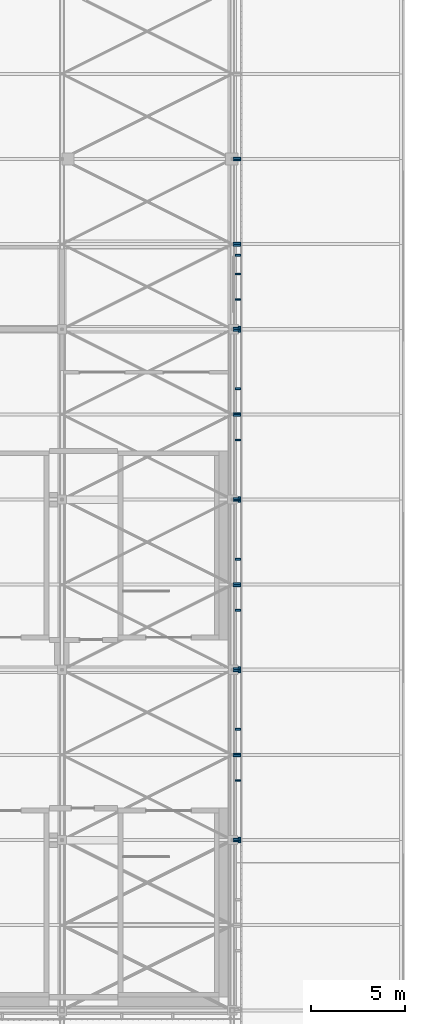
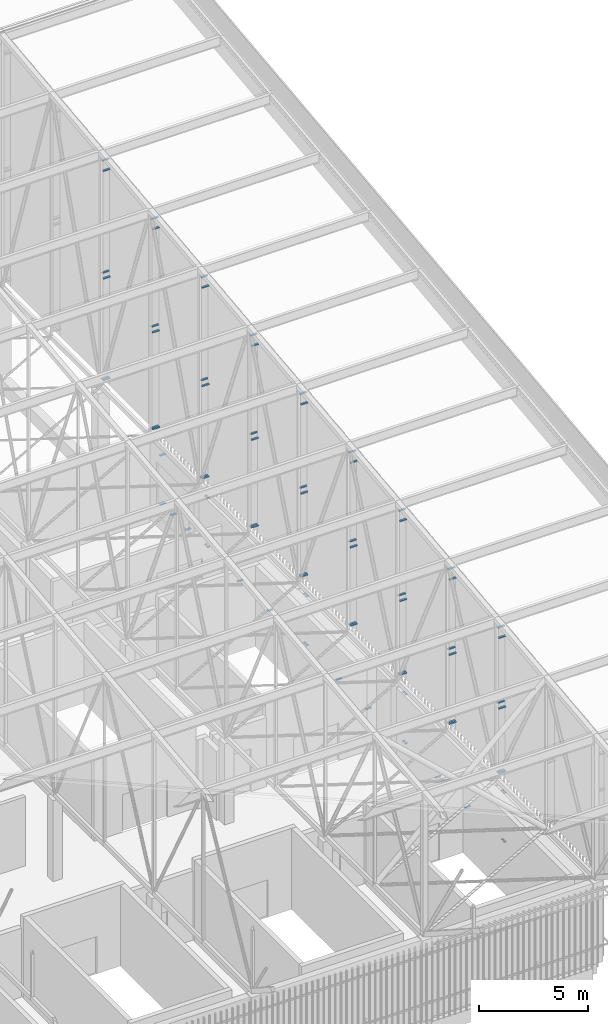
# One storey, part 451 of 500: 80 discrete accessories.
"""IFC4 building model written with IfcOpenShell, lengths in metres."""

from ifc_helpers import new_model, si_unit, direction, frame, origin, origin_2d, place, context, subcontext, project, spatial, rectangle, extrude, material, type_object, element, save


model = new_model("IFC4")

# Units and contexts
model_context = context("Model", 3, precision=1e-05, world=origin(), true_north=direction((0.0, 1.0)))
body_context = subcontext(model_context, "Body", "Model", "MODEL_VIEW")
ifc_project = project(units=[si_unit("LENGTHUNIT", "METRE"), si_unit("AREAUNIT", "SQUARE_METRE"), si_unit("VOLUMEUNIT", "CUBIC_METRE"), si_unit("PLANEANGLEUNIT", "RADIAN"), si_unit("MASSUNIT", "GRAM", prefix="KILO")], contexts=[model_context])

# Site, building, storey
site_placement = place(None, origin())
site = spatial("IfcSite", under=ifc_project, at=site_placement, CompositionType="ELEMENT")
building_placement = place(site_placement, origin())
building = spatial("IfcBuilding", under=site, at=building_placement, Name="Shirokan Park Arena", CompositionType="ELEMENT")
storey_placement = place(building_placement, frame((0.0, 0.0, 29.1201171875)))
storey = spatial("IfcBuildingStorey", under=building, at=storey_placement, Name="L06", CompositionType="ELEMENT", Elevation=29.1201171875)

# Discrete accessories
ifc_material = material(Name="Steel S355", Category="steel")
discrete_accessory_type = type_object("IfcDiscreteAccessoryType", Name="Veil bracket 100x60", PredefinedType="BRACKET", material=ifc_material)
for number, where, z_axis, x_axis, name in (
    (1, (145.985107421875, 9.0, 1.06982421875), (0.0, 0.0, 1.0), (0.0, 1.0, 0.0), "Veil bracket east bay 1 L06 2"),
    (2, (145.985107421875, 9.0, 3.81982421875), (0.0, 0.0, 1.0), (0.0, 1.0, 0.0), "Veil bracket east bay 1 L06 4"),
    (3, (145.985107421875, 9.199951171875, 1.06982421875), (0.0, 0.0, 1.0), (0.0, 1.0, 0.0), "Veil bracket east bay 2 L06 1"),
    (4, (145.985107421875, 18.10009765625, 1.06982421875), (0.0, 0.0, 1.0), (0.0, 1.0, 0.0), "Veil bracket east bay 2 L06 2"),
    (5, (145.985107421875, 9.199951171875, 3.81982421875), (0.0, 0.0, 1.0), (0.0, 1.0, 0.0), "Veil bracket east bay 2 L06 3"),
    (6, (145.985107421875, 18.10009765625, 3.81982421875), (0.0, 0.0, 1.0), (0.0, 1.0, 0.0), "Veil bracket east bay 2 L06 4"),
):
    element("IfcDiscreteAccessory", number, at=place(storey_placement, frame(where, z_axis=z_axis, x_axis=x_axis)), inside=storey, type_object=discrete_accessory_type, Name=name, PredefinedType="BRACKET", context=body_context, shape_type="SweptSolid", body=[
        extrude(rectangle(XDim=0.10009765625, YDim=0.1201171875, at=origin_2d()), origin(), (0.0, 0.0, 1.0), 0.06005859375),
    ])
for number, where, z_axis, x_axis, name in (
    (7, (145.8974609375, 12.284912109375, 1.06982421875), (0.0, 0.0, 1.0), (0.0, 1.0, 0.0), "Veil bracket east bay 2 L06 wall 1"),
    (8, (145.8974609375, 15.014892578125, 1.06982421875), (0.0, 0.0, 1.0), (0.0, 1.0, 0.0), "Veil bracket east bay 2 L06 wall 2"),
):
    element("IfcDiscreteAccessory", number, at=place(storey_placement, frame(where, z_axis=z_axis, x_axis=x_axis)), inside=storey, type_object=discrete_accessory_type, Name=name, PredefinedType="BRACKET", context=body_context, shape_type="SweptSolid", body=[
        extrude(rectangle(XDim=0.10009765625, YDim=0.294921875, at=origin_2d()), origin(), (0.0, 0.0, 1.0), 0.06005859375),
    ])
for number, where, z_axis, x_axis, name in (
    (9, (145.985107421875, 18.300048828125, 1.06982421875), (0.0, 0.0, 1.0), (0.0, 1.0, 0.0), "Veil bracket east bay 3 L06 1"),
    (10, (145.985107421875, 27.199951171875, 1.06982421875), (0.0, 0.0, 1.0), (0.0, 1.0, 0.0), "Veil bracket east bay 3 L06 2"),
    (11, (145.985107421875, 18.300048828125, 3.81982421875), (0.0, 0.0, 1.0), (0.0, 1.0, 0.0), "Veil bracket east bay 3 L06 3"),
    (12, (145.985107421875, 27.199951171875, 3.81982421875), (0.0, 0.0, 1.0), (0.0, 1.0, 0.0), "Veil bracket east bay 3 L06 4"),
):
    element("IfcDiscreteAccessory", number, at=place(storey_placement, frame(where, z_axis=z_axis, x_axis=x_axis)), inside=storey, type_object=discrete_accessory_type, Name=name, PredefinedType="BRACKET", context=body_context, shape_type="SweptSolid", body=[
        extrude(rectangle(XDim=0.10009765625, YDim=0.1201171875, at=origin_2d()), origin(), (0.0, 0.0, 1.0), 0.06005859375),
    ])
for number, where, z_axis, x_axis, name in (
    (13, (145.8974609375, 21.385009765625, 1.06982421875), (0.0, 0.0, 1.0), (0.0, 1.0, 0.0), "Veil bracket east bay 3 L06 wall 1"),
    (14, (145.8974609375, 24.114990234375, 1.06982421875), (0.0, 0.0, 1.0), (0.0, 1.0, 0.0), "Veil bracket east bay 3 L06 wall 2"),
):
    element("IfcDiscreteAccessory", number, at=place(storey_placement, frame(where, z_axis=z_axis, x_axis=x_axis)), inside=storey, type_object=discrete_accessory_type, Name=name, PredefinedType="BRACKET", context=body_context, shape_type="SweptSolid", body=[
        extrude(rectangle(XDim=0.10009765625, YDim=0.294921875, at=origin_2d()), origin(), (0.0, 0.0, 1.0), 0.06005859375),
    ])
for number, where, z_axis, x_axis, name in (
    (15, (145.985107421875, 27.39990234375, 1.06982421875), (0.0, 0.0, 1.0), (0.0, 1.0, 0.0), "Veil bracket east bay 4 L06 1"),
    (16, (145.985107421875, 36.300048828125, 1.06982421875), (0.0, 0.0, 1.0), (0.0, 1.0, 0.0), "Veil bracket east bay 4 L06 2"),
    (17, (145.985107421875, 27.39990234375, 3.81982421875), (0.0, 0.0, 1.0), (0.0, 1.0, 0.0), "Veil bracket east bay 4 L06 3"),
    (18, (145.985107421875, 36.300048828125, 3.81982421875), (0.0, 0.0, 1.0), (0.0, 1.0, 0.0), "Veil bracket east bay 4 L06 4"),
):
    element("IfcDiscreteAccessory", number, at=place(storey_placement, frame(where, z_axis=z_axis, x_axis=x_axis)), inside=storey, type_object=discrete_accessory_type, Name=name, PredefinedType="BRACKET", context=body_context, shape_type="SweptSolid", body=[
        extrude(rectangle(XDim=0.10009765625, YDim=0.1201171875, at=origin_2d()), origin(), (0.0, 0.0, 1.0), 0.06005859375),
    ])
for number, where, z_axis, x_axis, name in (
    (19, (145.8974609375, 30.485107421875, 1.06982421875), (0.0, 0.0, 1.0), (0.0, 1.0, 0.0), "Veil bracket east bay 4 L06 wall 1"),
    (20, (145.8974609375, 33.215087890625, 1.06982421875), (0.0, 0.0, 1.0), (0.0, 1.0, 0.0), "Veil bracket east bay 4 L06 wall 2"),
):
    element("IfcDiscreteAccessory", number, at=place(storey_placement, frame(where, z_axis=z_axis, x_axis=x_axis)), inside=storey, type_object=discrete_accessory_type, Name=name, PredefinedType="BRACKET", context=body_context, shape_type="SweptSolid", body=[
        extrude(rectangle(XDim=0.10009765625, YDim=0.294921875, at=origin_2d()), origin(), (0.0, 0.0, 1.0), 0.06005859375),
    ])
discrete_accessory_1_placement = place(storey_placement, frame((145.985107421875, 36.5, 1.06982421875), z_axis=(0.0, 0.0, 1.0), x_axis=(0.0, 1.0, 0.0)))
element("IfcDiscreteAccessory", 21, at=discrete_accessory_1_placement, inside=storey, type_object=discrete_accessory_type, Name="Veil bracket east bay 5 L06 1", PredefinedType="BRACKET", context=body_context, shape_type="SweptSolid", body=[
    extrude(rectangle(XDim=0.10009765625, YDim=0.1201171875, at=origin_2d()), origin(), (0.0, 0.0, 1.0), 0.06005859375),
])
discrete_accessory_2_placement = place(storey_placement, frame((145.8974609375, 40.35009765625, 1.06982421875), z_axis=(0.0, 0.0, 1.0), x_axis=(0.0, 1.0, 0.0)))
element("IfcDiscreteAccessory", 22, at=discrete_accessory_2_placement, inside=storey, type_object=discrete_accessory_type, Name="Veil bracket east bay 5 L06 2", PredefinedType="BRACKET", context=body_context, shape_type="SweptSolid", body=[
    extrude(rectangle(XDim=0.10009765625, YDim=0.294921875, at=origin_2d()), origin(), (0.0, 0.0, 1.0), 0.06005859375),
])
discrete_accessory_3_placement = place(storey_placement, frame((145.985107421875, 36.5, 3.81982421875), z_axis=(0.0, 0.0, 1.0), x_axis=(0.0, 1.0, 0.0)))
element("IfcDiscreteAccessory", 23, at=discrete_accessory_3_placement, inside=storey, type_object=discrete_accessory_type, Name="Veil bracket east bay 5 L06 3", PredefinedType="BRACKET", context=body_context, shape_type="SweptSolid", body=[
    extrude(rectangle(XDim=0.10009765625, YDim=0.1201171875, at=origin_2d()), origin(), (0.0, 0.0, 1.0), 0.06005859375),
])
for number, where, z_axis, x_axis, name in (
    (24, (145.8974609375, 40.35009765625, 3.81982421875), (0.0, 0.0, 1.0), (0.0, 1.0, 0.0), "Veil bracket east bay 5 L06 4"),
    (25, (145.8974609375, 37.992431640625, 1.06982421875), (0.0, 0.0, 1.0), (0.0, 1.0, 0.0), "Veil bracket east bay 5 L06 wall 1"),
    (26, (145.8974609375, 39.357421875, 1.06982421875), (0.0, 0.0, 1.0), (0.0, 1.0, 0.0), "Veil bracket east bay 5 L06 wall 2"),
):
    element("IfcDiscreteAccessory", number, at=place(storey_placement, frame(where, z_axis=z_axis, x_axis=x_axis)), inside=storey, type_object=discrete_accessory_type, Name=name, PredefinedType="BRACKET", context=body_context, shape_type="SweptSolid", body=[
        extrude(rectangle(XDim=0.10009765625, YDim=0.294921875, at=origin_2d()), origin(), (0.0, 0.0, 1.0), 0.06005859375),
    ])
for number, where, z_axis, x_axis, name in (
    (27, (145.854248046875, 9.050048828125, 4.995849609375), (0.0, 0.0, 1.0), (1.0, 0.0, 0.0), "Veil bracket gable band east bay 4 4"),
    (28, (145.854248046875, 9.050048828125, 8.61376953125), (0.0, 0.0, 1.0), (1.0, 0.0, 0.0), "Veil bracket gable band east bay 4 5"),
    (29, (145.854248046875, 9.050048828125, 12.581787109375), (0.0, 0.0, 1.0), (1.0, 0.0, 0.0), "Veil bracket gable band east bay 4 6"),
    (30, (145.854248046875, 9.14990234375, 4.995849609375), (0.0, 0.0, 1.0), (1.0, 0.0, 0.0), "Veil bracket gable band east bay 5 1"),
    (31, (145.854248046875, 9.14990234375, 8.873779296875), (0.0, 0.0, 1.0), (1.0, 0.0, 0.0), "Veil bracket gable band east bay 5 2"),
    (32, (145.854248046875, 9.14990234375, 13.101806640625), (0.0, 0.0, 1.0), (1.0, 0.0, 0.0), "Veil bracket gable band east bay 5 3"),
):
    element("IfcDiscreteAccessory", number, at=place(storey_placement, frame(where, z_axis=z_axis, x_axis=x_axis)), inside=storey, type_object=discrete_accessory_type, Name=name, PredefinedType="BRACKET", context=body_context, shape_type="SweptSolid", body=[
        extrude(rectangle(XDim=0.381591796875, YDim=0.10009765625, at=origin_2d()), origin(), (0.0, 0.0, 1.0), 0.06005859375),
    ])
for number, where, z_axis, x_axis, name in (
    (33, (145.85107421875, 13.60009765625, 4.995849609375), (0.0, 0.0, 1.0), (1.0, 0.0, 0.0), "Veil bracket gable band east bay 5 4"),
    (34, (145.85107421875, 13.60009765625, 8.873779296875), (0.0, 0.0, 1.0), (1.0, 0.0, 0.0), "Veil bracket gable band east bay 5 5"),
    (35, (145.85107421875, 13.60009765625, 13.101806640625), (0.0, 0.0, 1.0), (1.0, 0.0, 0.0), "Veil bracket gable band east bay 5 6"),
    (36, (145.85107421875, 13.699951171875, 4.995849609375), (0.0, 0.0, 1.0), (1.0, 0.0, 0.0), "Veil bracket gable band east bay 6 1"),
    (37, (145.85107421875, 13.699951171875, 9.1337890625), (0.0, 0.0, 1.0), (1.0, 0.0, 0.0), "Veil bracket gable band east bay 6 2"),
    (38, (145.85107421875, 13.699951171875, 13.621826171875), (0.0, 0.0, 1.0), (1.0, 0.0, 0.0), "Veil bracket gable band east bay 6 3"),
):
    element("IfcDiscreteAccessory", number, at=place(storey_placement, frame(where, z_axis=z_axis, x_axis=x_axis)), inside=storey, type_object=discrete_accessory_type, Name=name, PredefinedType="BRACKET", context=body_context, shape_type="SweptSolid", body=[
        extrude(rectangle(XDim=0.387939453125, YDim=0.10009765625, at=origin_2d()), origin(), (0.0, 0.0, 1.0), 0.06005859375),
    ])
for number, where, z_axis, x_axis, name in (
    (39, (145.854248046875, 18.14990234375, 4.995849609375), (0.0, 0.0, 1.0), (1.0, 0.0, 0.0), "Veil bracket gable band east bay 6 4"),
    (40, (145.854248046875, 18.14990234375, 9.1337890625), (0.0, 0.0, 1.0), (1.0, 0.0, 0.0), "Veil bracket gable band east bay 6 5"),
    (41, (145.854248046875, 18.14990234375, 13.621826171875), (0.0, 0.0, 1.0), (1.0, 0.0, 0.0), "Veil bracket gable band east bay 6 6"),
    (42, (145.854248046875, 18.25, 4.995849609375), (0.0, 0.0, 1.0), (1.0, 0.0, 0.0), "Veil bracket gable band east bay 7 1"),
    (43, (145.854248046875, 18.25, 9.393798828125), (0.0, 0.0, 1.0), (1.0, 0.0, 0.0), "Veil bracket gable band east bay 7 2"),
    (44, (145.854248046875, 18.25, 14.141845703125), (0.0, 0.0, 1.0), (1.0, 0.0, 0.0), "Veil bracket gable band east bay 7 3"),
):
    element("IfcDiscreteAccessory", number, at=place(storey_placement, frame(where, z_axis=z_axis, x_axis=x_axis)), inside=storey, type_object=discrete_accessory_type, Name=name, PredefinedType="BRACKET", context=body_context, shape_type="SweptSolid", body=[
        extrude(rectangle(XDim=0.381591796875, YDim=0.10009765625, at=origin_2d()), origin(), (0.0, 0.0, 1.0), 0.06005859375),
    ])
for number, where, z_axis, x_axis, name in (
    (45, (145.85107421875, 22.699951171875, 4.995849609375), (0.0, 0.0, 1.0), (1.0, 0.0, 0.0), "Veil bracket gable band east bay 7 4"),
    (46, (145.85107421875, 22.699951171875, 9.393798828125), (0.0, 0.0, 1.0), (1.0, 0.0, 0.0), "Veil bracket gable band east bay 7 5"),
    (47, (145.85107421875, 22.699951171875, 14.141845703125), (0.0, 0.0, 1.0), (1.0, 0.0, 0.0), "Veil bracket gable band east bay 7 6"),
    (48, (145.85107421875, 22.800048828125, 4.995849609375), (0.0, 0.0, 1.0), (1.0, 0.0, 0.0), "Veil bracket gable band east bay 8 1"),
    (49, (145.85107421875, 22.800048828125, 9.65380859375), (0.0, 0.0, 1.0), (1.0, 0.0, 0.0), "Veil bracket gable band east bay 8 2"),
    (50, (145.85107421875, 22.800048828125, 14.661865234375), (0.0, 0.0, 1.0), (1.0, 0.0, 0.0), "Veil bracket gable band east bay 8 3"),
):
    element("IfcDiscreteAccessory", number, at=place(storey_placement, frame(where, z_axis=z_axis, x_axis=x_axis)), inside=storey, type_object=discrete_accessory_type, Name=name, PredefinedType="BRACKET", context=body_context, shape_type="SweptSolid", body=[
        extrude(rectangle(XDim=0.387939453125, YDim=0.10009765625, at=origin_2d()), origin(), (0.0, 0.0, 1.0), 0.06005859375),
    ])
for number, where, z_axis, x_axis, name in (
    (51, (145.854248046875, 27.25, 4.995849609375), (0.0, 0.0, 1.0), (1.0, 0.0, 0.0), "Veil bracket gable band east bay 8 4"),
    (52, (145.854248046875, 27.25, 9.65380859375), (0.0, 0.0, 1.0), (1.0, 0.0, 0.0), "Veil bracket gable band east bay 8 5"),
    (53, (145.854248046875, 27.25, 14.661865234375), (0.0, 0.0, 1.0), (1.0, 0.0, 0.0), "Veil bracket gable band east bay 8 6"),
    (54, (145.854248046875, 27.35009765625, 4.995849609375), (0.0, 0.0, 1.0), (1.0, 0.0, 0.0), "Veil bracket gable band east bay 9 1"),
    (55, (145.854248046875, 27.35009765625, 9.913818359375), (0.0, 0.0, 1.0), (1.0, 0.0, 0.0), "Veil bracket gable band east bay 9 2"),
    (56, (145.854248046875, 27.35009765625, 15.181884765625), (0.0, 0.0, 1.0), (1.0, 0.0, 0.0), "Veil bracket gable band east bay 9 3"),
):
    element("IfcDiscreteAccessory", number, at=place(storey_placement, frame(where, z_axis=z_axis, x_axis=x_axis)), inside=storey, type_object=discrete_accessory_type, Name=name, PredefinedType="BRACKET", context=body_context, shape_type="SweptSolid", body=[
        extrude(rectangle(XDim=0.381591796875, YDim=0.10009765625, at=origin_2d()), origin(), (0.0, 0.0, 1.0), 0.06005859375),
    ])
for number, where, z_axis, x_axis, name in (
    (57, (145.85107421875, 31.800048828125, 4.995849609375), (0.0, 0.0, 1.0), (1.0, 0.0, 0.0), "Veil bracket gable band east bay 9 4"),
    (58, (145.85107421875, 31.800048828125, 9.913818359375), (0.0, 0.0, 1.0), (1.0, 0.0, 0.0), "Veil bracket gable band east bay 9 5"),
    (59, (145.85107421875, 31.800048828125, 15.181884765625), (0.0, 0.0, 1.0), (1.0, 0.0, 0.0), "Veil bracket gable band east bay 9 6"),
    (60, (145.85107421875, 31.89990234375, 4.995849609375), (0.0, 0.0, 1.0), (1.0, 0.0, 0.0), "Veil bracket gable band east bay 10 1"),
    (61, (145.85107421875, 31.89990234375, 10.173828125), (0.0, 0.0, 1.0), (1.0, 0.0, 0.0), "Veil bracket gable band east bay 10 2"),
    (62, (145.85107421875, 31.89990234375, 15.701904296875), (0.0, 0.0, 1.0), (1.0, 0.0, 0.0), "Veil bracket gable band east bay 10 3"),
):
    element("IfcDiscreteAccessory", number, at=place(storey_placement, frame(where, z_axis=z_axis, x_axis=x_axis)), inside=storey, type_object=discrete_accessory_type, Name=name, PredefinedType="BRACKET", context=body_context, shape_type="SweptSolid", body=[
        extrude(rectangle(XDim=0.387939453125, YDim=0.10009765625, at=origin_2d()), origin(), (0.0, 0.0, 1.0), 0.06005859375),
    ])
for number, where, z_axis, x_axis, name in (
    (63, (145.854248046875, 36.35009765625, 4.995849609375), (0.0, 0.0, 1.0), (1.0, 0.0, 0.0), "Veil bracket gable band east bay 10 4"),
    (64, (145.854248046875, 36.35009765625, 10.173828125), (0.0, 0.0, 1.0), (1.0, 0.0, 0.0), "Veil bracket gable band east bay 10 5"),
    (65, (145.854248046875, 36.35009765625, 15.701904296875), (0.0, 0.0, 1.0), (1.0, 0.0, 0.0), "Veil bracket gable band east bay 10 6"),
    (66, (145.854248046875, 36.449951171875, 4.995849609375), (0.0, 0.0, 1.0), (1.0, 0.0, 0.0), "Veil bracket gable band east bay 11 1"),
    (67, (145.854248046875, 36.449951171875, 10.433837890625), (0.0, 0.0, 1.0), (1.0, 0.0, 0.0), "Veil bracket gable band east bay 11 2"),
    (68, (145.854248046875, 36.449951171875, 16.221923828125), (0.0, 0.0, 1.0), (1.0, 0.0, 0.0), "Veil bracket gable band east bay 11 3"),
):
    element("IfcDiscreteAccessory", number, at=place(storey_placement, frame(where, z_axis=z_axis, x_axis=x_axis)), inside=storey, type_object=discrete_accessory_type, Name=name, PredefinedType="BRACKET", context=body_context, shape_type="SweptSolid", body=[
        extrude(rectangle(XDim=0.381591796875, YDim=0.10009765625, at=origin_2d()), origin(), (0.0, 0.0, 1.0), 0.06005859375),
    ])
for number, where, z_axis, x_axis, name in (
    (69, (145.85107421875, 40.89990234375, 4.995849609375), (0.0, 0.0, 1.0), (1.0, 0.0, 0.0), "Veil bracket gable band east bay 11 4"),
    (70, (145.85107421875, 40.89990234375, 10.433837890625), (0.0, 0.0, 1.0), (1.0, 0.0, 0.0), "Veil bracket gable band east bay 11 5"),
    (71, (145.85107421875, 40.89990234375, 16.221923828125), (0.0, 0.0, 1.0), (1.0, 0.0, 0.0), "Veil bracket gable band east bay 11 6"),
    (72, (145.85107421875, 41.0, 4.995849609375), (0.0, 0.0, 1.0), (1.0, 0.0, 0.0), "Veil bracket gable band east bay 12 1"),
    (73, (145.85107421875, 41.0, 10.69384765625), (0.0, 0.0, 1.0), (1.0, 0.0, 0.0), "Veil bracket gable band east bay 12 2"),
    (74, (145.85107421875, 41.0, 16.741943359375), (0.0, 0.0, 1.0), (1.0, 0.0, 0.0), "Veil bracket gable band east bay 12 3"),
):
    element("IfcDiscreteAccessory", number, at=place(storey_placement, frame(where, z_axis=z_axis, x_axis=x_axis)), inside=storey, type_object=discrete_accessory_type, Name=name, PredefinedType="BRACKET", context=body_context, shape_type="SweptSolid", body=[
        extrude(rectangle(XDim=0.387939453125, YDim=0.10009765625, at=origin_2d()), origin(), (0.0, 0.0, 1.0), 0.06005859375),
    ])
for number, where, z_axis, x_axis, name in (
    (75, (145.854248046875, 45.449951171875, 4.995849609375), (0.0, 0.0, 1.0), (1.0, 0.0, 0.0), "Veil bracket gable band east bay 12 4"),
    (76, (145.854248046875, 45.449951171875, 10.69384765625), (0.0, 0.0, 1.0), (1.0, 0.0, 0.0), "Veil bracket gable band east bay 12 5"),
    (77, (145.854248046875, 45.449951171875, 16.741943359375), (0.0, 0.0, 1.0), (1.0, 0.0, 0.0), "Veil bracket gable band east bay 12 6"),
    (78, (145.854248046875, 45.550048828125, 4.995849609375), (0.0, 0.0, 1.0), (1.0, 0.0, 0.0), "Veil bracket gable band east bay 13 1"),
    (79, (145.854248046875, 45.550048828125, 10.953857421875), (0.0, 0.0, 1.0), (1.0, 0.0, 0.0), "Veil bracket gable band east bay 13 2"),
    (80, (145.854248046875, 45.550048828125, 17.261962890625), (0.0, 0.0, 1.0), (1.0, 0.0, 0.0), "Veil bracket gable band east bay 13 3"),
):
    element("IfcDiscreteAccessory", number, at=place(storey_placement, frame(where, z_axis=z_axis, x_axis=x_axis)), inside=storey, type_object=discrete_accessory_type, Name=name, PredefinedType="BRACKET", context=body_context, shape_type="SweptSolid", body=[
        extrude(rectangle(XDim=0.381591796875, YDim=0.10009765625, at=origin_2d()), origin(), (0.0, 0.0, 1.0), 0.06005859375),
    ])

save(model, "model.ifc")
